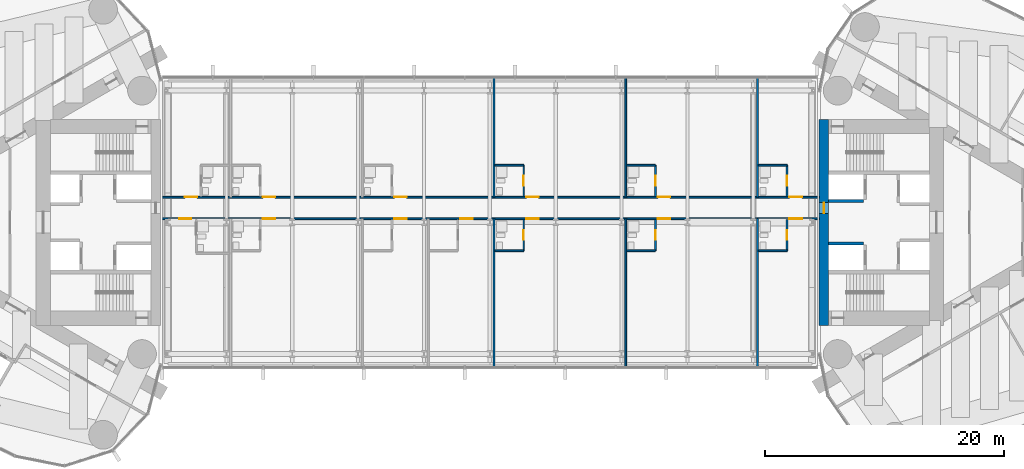
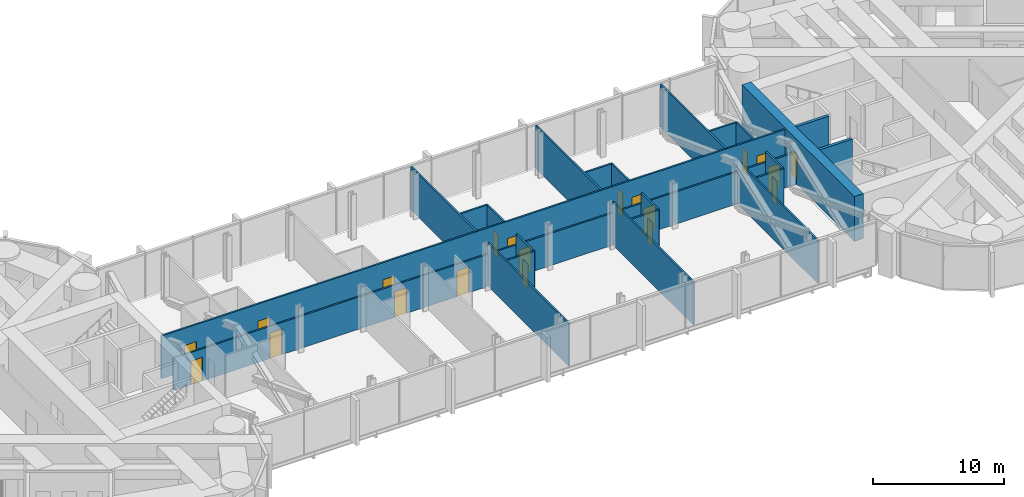
# One storey, part 18 of 23: 23 walls, 20 doors, 20 openings.
"""IFC4 building model written with IfcOpenShell, lengths in metres."""

from ifc_helpers import new_model, si_unit, direction, frame, frame_2d, origin, place, context, subcontext, project, spatial, rectangle, extrude, material, layer, layer_set, type_object, element, fill, save


model = new_model("IFC4")

# Units and contexts
model_context = context("Model", 3, precision=1e-05, world=origin(), true_north=direction((0.0, 1.0)))
body_context = subcontext(model_context, "Body", "Model", "MODEL_VIEW")
ifc_project = project(units=[si_unit("LENGTHUNIT", "METRE"), si_unit("AREAUNIT", "SQUARE_METRE"), si_unit("VOLUMEUNIT", "CUBIC_METRE"), si_unit("PLANEANGLEUNIT", "RADIAN"), si_unit("MASSUNIT", "GRAM", prefix="KILO")], contexts=[model_context])

# Site, building, storey
site_placement = place(None, origin())
site = spatial("IfcSite", under=ifc_project, at=site_placement, CompositionType="ELEMENT")
building_placement = place(site_placement, origin())
building = spatial("IfcBuilding", under=site, at=building_placement, Name="Lancet Gate Hotel", CompositionType="ELEMENT")
storey_placement = place(building_placement, frame((0.0, 0.0, 247.699951171875)))
storey = spatial("IfcBuildingStorey", under=building, at=storey_placement, Name="L66", CompositionType="ELEMENT", Elevation=247.699951171875)

# Wall
ifc_material_1 = material(Name="Moisture resistant board partition")
ifc_layer_1 = layer(ifc_material_1, 0.14990234375)
ifc_layer_set_1 = layer_set([ifc_layer_1], Name="Bathroom wall 150")
wall_type_1 = type_object("IfcWallType", Name="Bathroom wall 150", PredefinedType="PARTITIONING", material=ifc_layer_set_1)
wall_1_placement = place(storey_placement, frame((0.425048828125, -2.375, 0.0), z_axis=(0.0, 0.0, 1.0), x_axis=(1.0, 0.0, 0.0)))
element("IfcWall", 1, at=wall_1_placement, inside=storey, type_object=wall_type_1, Name="Bridge block bathroom wall 150 L66", PredefinedType="PARTITIONING", context=body_context, shape_type="SweptSolid", body=[
    extrude(rectangle(XDim=2.39990234375, YDim=0.14990234375, at=frame_2d((1.199951171875, 0.0))), origin(), (0.0, 0.0, 1.0), 4.0),
])

# Wall, opening, door
wall_2_placement = place(storey_placement, frame((2.824951171875, -2.375, 0.0), z_axis=(0.0, 0.0, 1.0), x_axis=(0.0, 1.0, 0.0)))
wall_2 = element("IfcWall", 2, at=wall_2_placement, inside=storey, type_object=wall_type_1, Name="Bridge block bathroom wall 150 L66", PredefinedType="PARTITIONING", context=body_context, shape_type="SweptSolid", body=[
    extrude(rectangle(XDim=2.60009765625, YDim=0.14990234375, at=frame_2d((1.300048828125, 0.0))), origin(), (0.0, 0.0, 1.0), 4.0),
])
opening_1_placement = place(wall_2_placement, frame((0.89990234375, 0.0, 0.0)))
opening_1 = element("IfcOpeningElement", 3, at=opening_1_placement, cuts=wall_2, Name="Opening B6606-B", PredefinedType="OPENING", context=body_context, shape_type="SweptSolid", body=[
    extrude(rectangle(XDim=0.800048828125, YDim=2.199951171875, at=frame_2d((0.39990234375, 1.10009765625))), frame((0.0, 0.0849609375, 0.0), z_axis=(0.0, -1.0, 0.0), x_axis=(1.0, 0.0, 0.0)), (0.0, 0.0, 1.0), 0.169921875),
])
ifc_material_2 = material(Name="Timber door set", Category="wood")
door_type_1 = type_object("IfcDoorType", Name="Bathroom door 800", OperationType="SINGLE_SWING_RIGHT", PredefinedType="DOOR", material=ifc_material_2)
door_1_placement = place(opening_1_placement, origin())
door_1 = element("IfcDoor", 4, at=door_1_placement, inside=storey, type_object=door_type_1, Name="B6606-B", OperationType="SINGLE_SWING_RIGHT", OverallHeight=2.199951171875, OverallWidth=0.800048828125, PredefinedType="DOOR", context=body_context, shape_type="SweptSolid", body=[
    extrude(rectangle(XDim=0.800048828125, YDim=2.199951171875, at=frame_2d((0.39990234375, 1.10009765625))), frame((0.0, 0.02490234375, 0.0), z_axis=(0.0, -1.0, 0.0), x_axis=(1.0, 0.0, 0.0)), (0.0, 0.0, 1.0), 0.050048828125),
])
fill(opening_1, door_1)

# Wall
wall_3_placement = place(storey_placement, frame((11.425048828125, -2.375, 0.0), z_axis=(0.0, 0.0, 1.0), x_axis=(1.0, 0.0, 0.0)))
element("IfcWall", 5, at=wall_3_placement, inside=storey, type_object=wall_type_1, Name="Bridge block bathroom wall 150 L66", PredefinedType="PARTITIONING", context=body_context, shape_type="SweptSolid", body=[
    extrude(rectangle(XDim=2.39990234375, YDim=0.14990234375, at=frame_2d((1.199951171875, 0.0))), origin(), (0.0, 0.0, 1.0), 4.0),
])

# Wall, opening, door
wall_4_placement = place(storey_placement, frame((13.824951171875, -2.375, 0.0), z_axis=(0.0, 0.0, 1.0), x_axis=(0.0, 1.0, 0.0)))
wall_4 = element("IfcWall", 6, at=wall_4_placement, inside=storey, type_object=wall_type_1, Name="Bridge block bathroom wall 150 L66", PredefinedType="PARTITIONING", context=body_context, shape_type="SweptSolid", body=[
    extrude(rectangle(XDim=2.60009765625, YDim=0.14990234375, at=frame_2d((1.300048828125, 0.0))), origin(), (0.0, 0.0, 1.0), 4.0),
])
opening_2_placement = place(wall_4_placement, frame((0.89990234375, 0.0, 0.0)))
opening_2 = element("IfcOpeningElement", 7, at=opening_2_placement, cuts=wall_4, Name="Opening B6608-B", PredefinedType="OPENING", context=body_context, shape_type="SweptSolid", body=[
    extrude(rectangle(XDim=0.800048828125, YDim=2.199951171875, at=frame_2d((0.39990234375, 1.10009765625))), frame((0.0, 0.0849609375, 0.0), z_axis=(0.0, -1.0, 0.0), x_axis=(1.0, 0.0, 0.0)), (0.0, 0.0, 1.0), 0.169921875),
])
door_2_placement = place(opening_2_placement, origin())
door_2 = element("IfcDoor", 8, at=door_2_placement, inside=storey, type_object=door_type_1, Name="B6608-B", OperationType="SINGLE_SWING_RIGHT", OverallHeight=2.199951171875, OverallWidth=0.800048828125, PredefinedType="DOOR", context=body_context, shape_type="SweptSolid", body=[
    extrude(rectangle(XDim=0.800048828125, YDim=2.199951171875, at=frame_2d((0.39990234375, 1.10009765625))), frame((0.0, 0.02490234375, 0.0), z_axis=(0.0, -1.0, 0.0), x_axis=(1.0, 0.0, 0.0)), (0.0, 0.0, 1.0), 0.050048828125),
])
fill(opening_2, door_2)

# Wall
wall_5_placement = place(storey_placement, frame((22.425048828125, -2.375, 0.0), z_axis=(0.0, 0.0, 1.0), x_axis=(1.0, 0.0, 0.0)))
element("IfcWall", 9, at=wall_5_placement, inside=storey, type_object=wall_type_1, Name="Bridge block bathroom wall 150 L66", PredefinedType="PARTITIONING", context=body_context, shape_type="SweptSolid", body=[
    extrude(rectangle(XDim=2.39990234375, YDim=0.14990234375, at=frame_2d((1.199951171875, 0.0))), origin(), (0.0, 0.0, 1.0), 4.0),
])

# Wall, opening, door
wall_6_placement = place(storey_placement, frame((24.824951171875, -2.375, 0.0), z_axis=(0.0, 0.0, 1.0), x_axis=(0.0, 1.0, 0.0)))
wall_6 = element("IfcWall", 10, at=wall_6_placement, inside=storey, type_object=wall_type_1, Name="Bridge block bathroom wall 150 L66", PredefinedType="PARTITIONING", context=body_context, shape_type="SweptSolid", body=[
    extrude(rectangle(XDim=2.60009765625, YDim=0.14990234375, at=frame_2d((1.300048828125, 0.0))), origin(), (0.0, 0.0, 1.0), 4.0),
])
opening_3_placement = place(wall_6_placement, frame((0.89990234375, 0.0, 0.0)))
opening_3 = element("IfcOpeningElement", 11, at=opening_3_placement, cuts=wall_6, Name="Opening B6610-B", PredefinedType="OPENING", context=body_context, shape_type="SweptSolid", body=[
    extrude(rectangle(XDim=0.800048828125, YDim=2.199951171875, at=frame_2d((0.39990234375, 1.10009765625))), frame((0.0, 0.0849609375, 0.0), z_axis=(0.0, -1.0, 0.0), x_axis=(1.0, 0.0, 0.0)), (0.0, 0.0, 1.0), 0.169921875),
])
door_3_placement = place(opening_3_placement, origin())
door_3 = element("IfcDoor", 12, at=door_3_placement, inside=storey, type_object=door_type_1, Name="B6610-B", OperationType="SINGLE_SWING_RIGHT", OverallHeight=2.199951171875, OverallWidth=0.800048828125, PredefinedType="DOOR", context=body_context, shape_type="SweptSolid", body=[
    extrude(rectangle(XDim=0.800048828125, YDim=2.199951171875, at=frame_2d((0.39990234375, 1.10009765625))), frame((0.0, 0.02490234375, 0.0), z_axis=(0.0, -1.0, 0.0), x_axis=(1.0, 0.0, 0.0)), (0.0, 0.0, 1.0), 0.050048828125),
])
fill(opening_3, door_3)

# Wall
wall_7_placement = place(storey_placement, frame((0.425048828125, 4.77490234375, 0.0), z_axis=(0.0, 0.0, 1.0), x_axis=(1.0, 0.0, 0.0)))
element("IfcWall", 13, at=wall_7_placement, inside=storey, type_object=wall_type_1, Name="Bridge block bathroom wall 150 L66", PredefinedType="PARTITIONING", context=body_context, shape_type="SweptSolid", body=[
    extrude(rectangle(XDim=2.39990234375, YDim=0.14990234375, at=frame_2d((1.199951171875, 0.0))), origin(), (0.0, 0.0, 1.0), 4.0),
])

# Wall, opening, door
wall_8_placement = place(storey_placement, frame((2.824951171875, 2.175048828125, 0.0), z_axis=(0.0, 0.0, 1.0), x_axis=(0.0, 1.0, 0.0)))
wall_8 = element("IfcWall", 14, at=wall_8_placement, inside=storey, type_object=wall_type_1, Name="Bridge block bathroom wall 150 L66", PredefinedType="PARTITIONING", context=body_context, shape_type="SweptSolid", body=[
    extrude(rectangle(XDim=2.599853515625, YDim=0.14990234375, at=frame_2d((1.2998046875, 0.0))), origin(), (0.0, 0.0, 1.0), 4.0),
])
opening_4_placement = place(wall_8_placement, frame((0.89990234375, 0.0, 0.0)))
opening_4 = element("IfcOpeningElement", 15, at=opening_4_placement, cuts=wall_8, Name="Opening B6616-B", PredefinedType="OPENING", context=body_context, shape_type="SweptSolid", body=[
    extrude(rectangle(XDim=0.800048828125, YDim=2.199951171875, at=frame_2d((0.39990234375, 1.10009765625))), frame((0.0, 0.0849609375, 0.0), z_axis=(0.0, -1.0, 0.0), x_axis=(1.0, 0.0, 0.0)), (0.0, 0.0, 1.0), 0.169921875),
])
door_4_placement = place(opening_4_placement, origin())
door_4 = element("IfcDoor", 16, at=door_4_placement, inside=storey, type_object=door_type_1, Name="B6616-B", OperationType="SINGLE_SWING_RIGHT", OverallHeight=2.199951171875, OverallWidth=0.800048828125, PredefinedType="DOOR", context=body_context, shape_type="SweptSolid", body=[
    extrude(rectangle(XDim=0.800048828125, YDim=2.199951171875, at=frame_2d((0.39990234375, 1.10009765625))), frame((0.0, 0.02490234375, 0.0), z_axis=(0.0, -1.0, 0.0), x_axis=(1.0, 0.0, 0.0)), (0.0, 0.0, 1.0), 0.050048828125),
])
fill(opening_4, door_4)

# Wall
wall_9_placement = place(storey_placement, frame((11.425048828125, 4.77490234375, 0.0), z_axis=(0.0, 0.0, 1.0), x_axis=(1.0, 0.0, 0.0)))
element("IfcWall", 17, at=wall_9_placement, inside=storey, type_object=wall_type_1, Name="Bridge block bathroom wall 150 L66", PredefinedType="PARTITIONING", context=body_context, shape_type="SweptSolid", body=[
    extrude(rectangle(XDim=2.39990234375, YDim=0.14990234375, at=frame_2d((1.199951171875, 0.0))), origin(), (0.0, 0.0, 1.0), 4.0),
])

# Wall, opening, door
wall_10_placement = place(storey_placement, frame((13.824951171875, 2.175048828125, 0.0), z_axis=(0.0, 0.0, 1.0), x_axis=(0.0, 1.0, 0.0)))
wall_10 = element("IfcWall", 18, at=wall_10_placement, inside=storey, type_object=wall_type_1, Name="Bridge block bathroom wall 150 L66", PredefinedType="PARTITIONING", context=body_context, shape_type="SweptSolid", body=[
    extrude(rectangle(XDim=2.599853515625, YDim=0.14990234375, at=frame_2d((1.2998046875, 0.0))), origin(), (0.0, 0.0, 1.0), 4.0),
])
opening_5_placement = place(wall_10_placement, frame((0.89990234375, 0.0, 0.0)))
opening_5 = element("IfcOpeningElement", 19, at=opening_5_placement, cuts=wall_10, Name="Opening B6618-B", PredefinedType="OPENING", context=body_context, shape_type="SweptSolid", body=[
    extrude(rectangle(XDim=0.800048828125, YDim=2.199951171875, at=frame_2d((0.39990234375, 1.10009765625))), frame((0.0, 0.0849609375, 0.0), z_axis=(0.0, -1.0, 0.0), x_axis=(1.0, 0.0, 0.0)), (0.0, 0.0, 1.0), 0.169921875),
])
door_5_placement = place(opening_5_placement, origin())
door_5 = element("IfcDoor", 20, at=door_5_placement, inside=storey, type_object=door_type_1, Name="B6618-B", OperationType="SINGLE_SWING_RIGHT", OverallHeight=2.199951171875, OverallWidth=0.800048828125, PredefinedType="DOOR", context=body_context, shape_type="SweptSolid", body=[
    extrude(rectangle(XDim=0.800048828125, YDim=2.199951171875, at=frame_2d((0.39990234375, 1.10009765625))), frame((0.0, 0.02490234375, 0.0), z_axis=(0.0, -1.0, 0.0), x_axis=(1.0, 0.0, 0.0)), (0.0, 0.0, 1.0), 0.050048828125),
])
fill(opening_5, door_5)

# Wall
wall_11_placement = place(storey_placement, frame((22.425048828125, 4.77490234375, 0.0), z_axis=(0.0, 0.0, 1.0), x_axis=(1.0, 0.0, 0.0)))
element("IfcWall", 21, at=wall_11_placement, inside=storey, type_object=wall_type_1, Name="Bridge block bathroom wall 150 L66", PredefinedType="PARTITIONING", context=body_context, shape_type="SweptSolid", body=[
    extrude(rectangle(XDim=2.39990234375, YDim=0.14990234375, at=frame_2d((1.199951171875, 0.0))), origin(), (0.0, 0.0, 1.0), 4.0),
])

# Wall, opening, door
wall_12_placement = place(storey_placement, frame((24.824951171875, 2.175048828125, 0.0), z_axis=(0.0, 0.0, 1.0), x_axis=(0.0, 1.0, 0.0)))
wall_12 = element("IfcWall", 22, at=wall_12_placement, inside=storey, type_object=wall_type_1, Name="Bridge block bathroom wall 150 L66", PredefinedType="PARTITIONING", context=body_context, shape_type="SweptSolid", body=[
    extrude(rectangle(XDim=2.599853515625, YDim=0.14990234375, at=frame_2d((1.2998046875, 0.0))), origin(), (0.0, 0.0, 1.0), 4.0),
])
opening_6_placement = place(wall_12_placement, frame((0.89990234375, 0.0, 0.0)))
opening_6 = element("IfcOpeningElement", 23, at=opening_6_placement, cuts=wall_12, Name="Opening B6620-B", PredefinedType="OPENING", context=body_context, shape_type="SweptSolid", body=[
    extrude(rectangle(XDim=0.800048828125, YDim=2.199951171875, at=frame_2d((0.39990234375, 1.10009765625))), frame((0.0, 0.0849609375, 0.0), z_axis=(0.0, -1.0, 0.0), x_axis=(1.0, 0.0, 0.0)), (0.0, 0.0, 1.0), 0.169921875),
])
door_6_placement = place(opening_6_placement, origin())
door_6 = element("IfcDoor", 24, at=door_6_placement, inside=storey, type_object=door_type_1, Name="B6620-B", OperationType="SINGLE_SWING_RIGHT", OverallHeight=2.199951171875, OverallWidth=0.800048828125, PredefinedType="DOOR", context=body_context, shape_type="SweptSolid", body=[
    extrude(rectangle(XDim=0.800048828125, YDim=2.199951171875, at=frame_2d((0.39990234375, 1.10009765625))), frame((0.0, 0.02490234375, 0.0), z_axis=(0.0, -1.0, 0.0), x_axis=(1.0, 0.0, 0.0)), (0.0, 0.0, 1.0), 0.050048828125),
])
fill(opening_6, door_6)

# Wall, openings, doors
ifc_material_3 = material(Name="Gypsum board partition")
ifc_layer_2 = layer(ifc_material_3, 0.14990234375)
ifc_layer_set_2 = layer_set([ifc_layer_2], Name="Block corridor wall 150")
wall_type_2 = type_object("IfcWallType", Name="Block corridor wall 150", PredefinedType="PARTITIONING", material=ifc_layer_set_2)
wall_13_placement = place(storey_placement, frame((-27.5, 0.300048828125, 0.0), z_axis=(0.0, 0.0, 1.0), x_axis=(1.0, 0.0, 0.0)))
wall_13 = element("IfcWall", 25, at=wall_13_placement, inside=storey, type_object=wall_type_2, Name="Bridge block block corridor wall 150 L66", PredefinedType="PARTITIONING", context=body_context, shape_type="SweptSolid", body=[
    extrude(rectangle(XDim=55.0, YDim=0.14990234375, at=frame_2d((27.5, 0.0))), origin(), (0.0, 0.0, 1.0), 3.0),
])
opening_7_placement = place(wall_13_placement, frame((1.574951171875, 0.0, 0.0)))
opening_7 = element("IfcOpeningElement", 26, at=opening_7_placement, cuts=wall_13, Name="Opening B6601", PredefinedType="OPENING", context=body_context, shape_type="SweptSolid", body=[
    extrude(rectangle(XDim=1.0, YDim=2.199951171875, at=frame_2d((0.5, 1.10009765625))), frame((0.0, 0.0849609375, 0.0), z_axis=(0.0, -1.0, 0.0), x_axis=(1.0, 0.0, 0.0)), (0.0, 0.0, 1.0), 0.169921875),
])
opening_8_placement = place(wall_13_placement, frame((8.52490234375, 0.0, 0.0)))
opening_8 = element("IfcOpeningElement", 27, at=opening_8_placement, cuts=wall_13, Name="Opening B6602", PredefinedType="OPENING", context=body_context, shape_type="SweptSolid", body=[
    extrude(rectangle(XDim=1.050048828125, YDim=2.39990234375, at=frame_2d((0.52490234375, 1.199951171875))), frame((0.0, 0.0849609375, 0.0), z_axis=(0.0, -1.0, 0.0), x_axis=(1.0, 0.0, 0.0)), (0.0, 0.0, 1.0), 0.169921875),
])
opening_9_placement = place(wall_13_placement, frame((19.52490234375, 0.0, 0.0)))
opening_9 = element("IfcOpeningElement", 28, at=opening_9_placement, cuts=wall_13, Name="Opening B6604", PredefinedType="OPENING", context=body_context, shape_type="SweptSolid", body=[
    extrude(rectangle(XDim=1.050048828125, YDim=2.39990234375, at=frame_2d((0.52490234375, 1.199951171875))), frame((0.0, 0.0849609375, 0.0), z_axis=(0.0, -1.0, 0.0), x_axis=(1.0, 0.0, 0.0)), (0.0, 0.0, 1.0), 0.169921875),
])
opening_10_placement = place(wall_13_placement, frame((25.02490234375, 0.0, 0.0)))
opening_10 = element("IfcOpeningElement", 29, at=opening_10_placement, cuts=wall_13, Name="Opening B6605", PredefinedType="OPENING", context=body_context, shape_type="SweptSolid", body=[
    extrude(rectangle(XDim=1.050048828125, YDim=2.39990234375, at=frame_2d((0.52490234375, 1.199951171875))), frame((0.0, 0.0849609375, 0.0), z_axis=(0.0, -1.0, 0.0), x_axis=(1.0, 0.0, 0.0)), (0.0, 0.0, 1.0), 0.169921875),
])
opening_11_placement = place(wall_13_placement, frame((30.52490234375, 0.0, 0.0)))
opening_11 = element("IfcOpeningElement", 30, at=opening_11_placement, cuts=wall_13, Name="Opening B6606", PredefinedType="OPENING", context=body_context, shape_type="SweptSolid", body=[
    extrude(rectangle(XDim=1.050048828125, YDim=2.39990234375, at=frame_2d((0.52490234375, 1.199951171875))), frame((0.0, 0.0849609375, 0.0), z_axis=(0.0, -1.0, 0.0), x_axis=(1.0, 0.0, 0.0)), (0.0, 0.0, 1.0), 0.169921875),
])
opening_12_placement = place(wall_13_placement, frame((41.52490234375, 0.0, 0.0)))
opening_12 = element("IfcOpeningElement", 31, at=opening_12_placement, cuts=wall_13, Name="Opening B6608", PredefinedType="OPENING", context=body_context, shape_type="SweptSolid", body=[
    extrude(rectangle(XDim=1.050048828125, YDim=2.39990234375, at=frame_2d((0.52490234375, 1.199951171875))), frame((0.0, 0.0849609375, 0.0), z_axis=(0.0, -1.0, 0.0), x_axis=(1.0, 0.0, 0.0)), (0.0, 0.0, 1.0), 0.169921875),
])
opening_13_placement = place(wall_13_placement, frame((52.52490234375, 0.0, 0.0)))
opening_13 = element("IfcOpeningElement", 32, at=opening_13_placement, cuts=wall_13, Name="Opening B6610", PredefinedType="OPENING", context=body_context, shape_type="SweptSolid", body=[
    extrude(rectangle(XDim=1.050048828125, YDim=2.39990234375, at=frame_2d((0.52490234375, 1.199951171875))), frame((0.0, 0.0849609375, 0.0), z_axis=(0.0, -1.0, 0.0), x_axis=(1.0, 0.0, 0.0)), (0.0, 0.0, 1.0), 0.169921875),
])
ifc_material_4 = material(Name="Timber door set", Category="wood")
door_type_2 = type_object("IfcDoorType", Name="Accessible guest room door 1000", OperationType="SINGLE_SWING_LEFT", PredefinedType="DOOR", material=ifc_material_4)
door_7_placement = place(opening_7_placement, origin())
door_7 = element("IfcDoor", 33, at=door_7_placement, inside=storey, type_object=door_type_2, Name="B6601", OperationType="SINGLE_SWING_LEFT", OverallHeight=2.199951171875, OverallWidth=1.0, PredefinedType="DOOR", context=body_context, shape_type="SweptSolid", body=[
    extrude(rectangle(XDim=1.0, YDim=2.199951171875, at=frame_2d((0.5, 1.10009765625))), frame((0.0, 0.02490234375, 0.0), z_axis=(0.0, -1.0, 0.0), x_axis=(1.0, 0.0, 0.0)), (0.0, 0.0, 1.0), 0.050048828125),
])
fill(opening_7, door_7)
ifc_material_5 = material(Name="Timber door set", Category="wood")
door_type_3 = type_object("IfcDoorType", Name="Suite entry door 1050", OperationType="SINGLE_SWING_LEFT", PredefinedType="DOOR", material=ifc_material_5)
door_8_placement = place(opening_8_placement, origin())
door_8 = element("IfcDoor", 34, at=door_8_placement, inside=storey, type_object=door_type_3, Name="B6602", OperationType="SINGLE_SWING_LEFT", OverallHeight=2.39990234375, OverallWidth=1.050048828125, PredefinedType="DOOR", context=body_context, shape_type="SweptSolid", body=[
    extrude(rectangle(XDim=1.050048828125, YDim=2.39990234375, at=frame_2d((0.52490234375, 1.199951171875))), frame((0.0, 0.02490234375, 0.0), z_axis=(0.0, -1.0, 0.0), x_axis=(1.0, 0.0, 0.0)), (0.0, 0.0, 1.0), 0.050048828125),
])
fill(opening_8, door_8)
door_9_placement = place(opening_9_placement, origin())
door_9 = element("IfcDoor", 35, at=door_9_placement, inside=storey, type_object=door_type_3, Name="B6604", OperationType="SINGLE_SWING_LEFT", OverallHeight=2.39990234375, OverallWidth=1.050048828125, PredefinedType="DOOR", context=body_context, shape_type="SweptSolid", body=[
    extrude(rectangle(XDim=1.050048828125, YDim=2.39990234375, at=frame_2d((0.52490234375, 1.199951171875))), frame((0.0, 0.02490234375, 0.0), z_axis=(0.0, -1.0, 0.0), x_axis=(1.0, 0.0, 0.0)), (0.0, 0.0, 1.0), 0.050048828125),
])
fill(opening_9, door_9)
door_10_placement = place(opening_10_placement, origin())
door_10 = element("IfcDoor", 36, at=door_10_placement, inside=storey, type_object=door_type_3, Name="B6605", OperationType="SINGLE_SWING_LEFT", OverallHeight=2.39990234375, OverallWidth=1.050048828125, PredefinedType="DOOR", context=body_context, shape_type="SweptSolid", body=[
    extrude(rectangle(XDim=1.050048828125, YDim=2.39990234375, at=frame_2d((0.52490234375, 1.199951171875))), frame((0.0, 0.02490234375, 0.0), z_axis=(0.0, -1.0, 0.0), x_axis=(1.0, 0.0, 0.0)), (0.0, 0.0, 1.0), 0.050048828125),
])
fill(opening_10, door_10)
door_11_placement = place(opening_11_placement, origin())
door_11 = element("IfcDoor", 37, at=door_11_placement, inside=storey, type_object=door_type_3, Name="B6606", OperationType="SINGLE_SWING_LEFT", OverallHeight=2.39990234375, OverallWidth=1.050048828125, PredefinedType="DOOR", context=body_context, shape_type="SweptSolid", body=[
    extrude(rectangle(XDim=1.050048828125, YDim=2.39990234375, at=frame_2d((0.52490234375, 1.199951171875))), frame((0.0, 0.02490234375, 0.0), z_axis=(0.0, -1.0, 0.0), x_axis=(1.0, 0.0, 0.0)), (0.0, 0.0, 1.0), 0.050048828125),
])
fill(opening_11, door_11)
door_12_placement = place(opening_12_placement, origin())
door_12 = element("IfcDoor", 38, at=door_12_placement, inside=storey, type_object=door_type_3, Name="B6608", OperationType="SINGLE_SWING_LEFT", OverallHeight=2.39990234375, OverallWidth=1.050048828125, PredefinedType="DOOR", context=body_context, shape_type="SweptSolid", body=[
    extrude(rectangle(XDim=1.050048828125, YDim=2.39990234375, at=frame_2d((0.52490234375, 1.199951171875))), frame((0.0, 0.02490234375, 0.0), z_axis=(0.0, -1.0, 0.0), x_axis=(1.0, 0.0, 0.0)), (0.0, 0.0, 1.0), 0.050048828125),
])
fill(opening_12, door_12)
door_13_placement = place(opening_13_placement, origin())
door_13 = element("IfcDoor", 39, at=door_13_placement, inside=storey, type_object=door_type_3, Name="B6610", OperationType="SINGLE_SWING_LEFT", OverallHeight=2.39990234375, OverallWidth=1.050048828125, PredefinedType="DOOR", context=body_context, shape_type="SweptSolid", body=[
    extrude(rectangle(XDim=1.050048828125, YDim=2.39990234375, at=frame_2d((0.52490234375, 1.199951171875))), frame((0.0, 0.02490234375, 0.0), z_axis=(0.0, -1.0, 0.0), x_axis=(1.0, 0.0, 0.0)), (0.0, 0.0, 1.0), 0.050048828125),
])
fill(opening_13, door_13)

wall_14_placement = place(storey_placement, frame((-27.5, 2.10009765625, 0.0), z_axis=(0.0, 0.0, 1.0), x_axis=(1.0, 0.0, 0.0)))
wall_14 = element("IfcWall", 40, at=wall_14_placement, inside=storey, type_object=wall_type_2, Name="Bridge block block corridor wall 150 L66", PredefinedType="PARTITIONING", context=body_context, shape_type="SweptSolid", body=[
    extrude(rectangle(XDim=55.0, YDim=0.14990234375, at=frame_2d((27.5, 0.0))), origin(), (0.0, 0.0, 1.0), 4.0),
])
opening_14_placement = place(wall_14_placement, frame((2.02490234375, 0.0, 0.0)))
opening_14 = element("IfcOpeningElement", 41, at=opening_14_placement, cuts=wall_14, Name="Opening B6611", PredefinedType="OPENING", context=body_context, shape_type="SweptSolid", body=[
    extrude(rectangle(XDim=1.050048828125, YDim=2.39990234375, at=frame_2d((0.52490234375, 1.199951171875))), frame((0.0, 0.0849609375, 0.0), z_axis=(0.0, -1.0, 0.0), x_axis=(1.0, 0.0, 0.0)), (0.0, 0.0, 1.0), 0.169921875),
])
opening_15_placement = place(wall_14_placement, frame((8.52490234375, 0.0, 0.0)))
opening_15 = element("IfcOpeningElement", 42, at=opening_15_placement, cuts=wall_14, Name="Opening B6612", PredefinedType="OPENING", context=body_context, shape_type="SweptSolid", body=[
    extrude(rectangle(XDim=1.050048828125, YDim=2.39990234375, at=frame_2d((0.52490234375, 1.199951171875))), frame((0.0, 0.0849609375, 0.0), z_axis=(0.0, -1.0, 0.0), x_axis=(1.0, 0.0, 0.0)), (0.0, 0.0, 1.0), 0.169921875),
])
opening_16_placement = place(wall_14_placement, frame((19.52490234375, 0.0, 0.0)))
opening_16 = element("IfcOpeningElement", 43, at=opening_16_placement, cuts=wall_14, Name="Opening B6614", PredefinedType="OPENING", context=body_context, shape_type="SweptSolid", body=[
    extrude(rectangle(XDim=1.050048828125, YDim=2.39990234375, at=frame_2d((0.52490234375, 1.199951171875))), frame((0.0, 0.0849609375, 0.0), z_axis=(0.0, -1.0, 0.0), x_axis=(1.0, 0.0, 0.0)), (0.0, 0.0, 1.0), 0.169921875),
])
opening_17_placement = place(wall_14_placement, frame((30.52490234375, 0.0, 0.0)))
opening_17 = element("IfcOpeningElement", 44, at=opening_17_placement, cuts=wall_14, Name="Opening B6616", PredefinedType="OPENING", context=body_context, shape_type="SweptSolid", body=[
    extrude(rectangle(XDim=1.050048828125, YDim=2.39990234375, at=frame_2d((0.52490234375, 1.199951171875))), frame((0.0, 0.0849609375, 0.0), z_axis=(0.0, -1.0, 0.0), x_axis=(1.0, 0.0, 0.0)), (0.0, 0.0, 1.0), 0.169921875),
])
opening_18_placement = place(wall_14_placement, frame((41.52490234375, 0.0, 0.0)))
opening_18 = element("IfcOpeningElement", 45, at=opening_18_placement, cuts=wall_14, Name="Opening B6618", PredefinedType="OPENING", context=body_context, shape_type="SweptSolid", body=[
    extrude(rectangle(XDim=1.050048828125, YDim=2.39990234375, at=frame_2d((0.52490234375, 1.199951171875))), frame((0.0, 0.0849609375, 0.0), z_axis=(0.0, -1.0, 0.0), x_axis=(1.0, 0.0, 0.0)), (0.0, 0.0, 1.0), 0.169921875),
])
opening_19_placement = place(wall_14_placement, frame((52.52490234375, 0.0, 0.0)))
opening_19 = element("IfcOpeningElement", 46, at=opening_19_placement, cuts=wall_14, Name="Opening B6620", PredefinedType="OPENING", context=body_context, shape_type="SweptSolid", body=[
    extrude(rectangle(XDim=1.050048828125, YDim=2.39990234375, at=frame_2d((0.52490234375, 1.199951171875))), frame((0.0, 0.0849609375, 0.0), z_axis=(0.0, -1.0, 0.0), x_axis=(1.0, 0.0, 0.0)), (0.0, 0.0, 1.0), 0.169921875),
])
door_14_placement = place(opening_14_placement, origin())
door_14 = element("IfcDoor", 47, at=door_14_placement, inside=storey, type_object=door_type_3, Name="B6611", OperationType="SINGLE_SWING_LEFT", OverallHeight=2.39990234375, OverallWidth=1.050048828125, PredefinedType="DOOR", context=body_context, shape_type="SweptSolid", body=[
    extrude(rectangle(XDim=1.050048828125, YDim=2.39990234375, at=frame_2d((0.52490234375, 1.199951171875))), frame((0.0, 0.02490234375, 0.0), z_axis=(0.0, -1.0, 0.0), x_axis=(1.0, 0.0, 0.0)), (0.0, 0.0, 1.0), 0.050048828125),
])
fill(opening_14, door_14)
door_15_placement = place(opening_15_placement, origin())
door_15 = element("IfcDoor", 48, at=door_15_placement, inside=storey, type_object=door_type_3, Name="B6612", OperationType="SINGLE_SWING_LEFT", OverallHeight=2.39990234375, OverallWidth=1.050048828125, PredefinedType="DOOR", context=body_context, shape_type="SweptSolid", body=[
    extrude(rectangle(XDim=1.050048828125, YDim=2.39990234375, at=frame_2d((0.52490234375, 1.199951171875))), frame((0.0, 0.02490234375, 0.0), z_axis=(0.0, -1.0, 0.0), x_axis=(1.0, 0.0, 0.0)), (0.0, 0.0, 1.0), 0.050048828125),
])
fill(opening_15, door_15)
door_16_placement = place(opening_16_placement, origin())
door_16 = element("IfcDoor", 49, at=door_16_placement, inside=storey, type_object=door_type_3, Name="B6614", OperationType="SINGLE_SWING_LEFT", OverallHeight=2.39990234375, OverallWidth=1.050048828125, PredefinedType="DOOR", context=body_context, shape_type="SweptSolid", body=[
    extrude(rectangle(XDim=1.050048828125, YDim=2.39990234375, at=frame_2d((0.52490234375, 1.199951171875))), frame((0.0, 0.02490234375, 0.0), z_axis=(0.0, -1.0, 0.0), x_axis=(1.0, 0.0, 0.0)), (0.0, 0.0, 1.0), 0.050048828125),
])
fill(opening_16, door_16)
door_17_placement = place(opening_17_placement, origin())
door_17 = element("IfcDoor", 50, at=door_17_placement, inside=storey, type_object=door_type_3, Name="B6616", OperationType="SINGLE_SWING_LEFT", OverallHeight=2.39990234375, OverallWidth=1.050048828125, PredefinedType="DOOR", context=body_context, shape_type="SweptSolid", body=[
    extrude(rectangle(XDim=1.050048828125, YDim=2.39990234375, at=frame_2d((0.52490234375, 1.199951171875))), frame((0.0, 0.02490234375, 0.0), z_axis=(0.0, -1.0, 0.0), x_axis=(1.0, 0.0, 0.0)), (0.0, 0.0, 1.0), 0.050048828125),
])
fill(opening_17, door_17)
door_18_placement = place(opening_18_placement, origin())
door_18 = element("IfcDoor", 51, at=door_18_placement, inside=storey, type_object=door_type_3, Name="B6618", OperationType="SINGLE_SWING_LEFT", OverallHeight=2.39990234375, OverallWidth=1.050048828125, PredefinedType="DOOR", context=body_context, shape_type="SweptSolid", body=[
    extrude(rectangle(XDim=1.050048828125, YDim=2.39990234375, at=frame_2d((0.52490234375, 1.199951171875))), frame((0.0, 0.02490234375, 0.0), z_axis=(0.0, -1.0, 0.0), x_axis=(1.0, 0.0, 0.0)), (0.0, 0.0, 1.0), 0.050048828125),
])
fill(opening_18, door_18)
door_19_placement = place(opening_19_placement, origin())
door_19 = element("IfcDoor", 52, at=door_19_placement, inside=storey, type_object=door_type_3, Name="B6620", OperationType="SINGLE_SWING_LEFT", OverallHeight=2.39990234375, OverallWidth=1.050048828125, PredefinedType="DOOR", context=body_context, shape_type="SweptSolid", body=[
    extrude(rectangle(XDim=1.050048828125, YDim=2.39990234375, at=frame_2d((0.52490234375, 1.199951171875))), frame((0.0, 0.02490234375, 0.0), z_axis=(0.0, -1.0, 0.0), x_axis=(1.0, 0.0, 0.0)), (0.0, 0.0, 1.0), 0.050048828125),
])
fill(opening_19, door_19)

# Wall, opening, door
ifc_material_6 = material(Name="Concrete C70/85", Category="concrete")
ifc_layer_3 = layer(ifc_material_6, 0.800048828125)
ifc_layer_set_3 = layer_set([ifc_layer_3], Name="Core wall 800")
wall_type_3 = type_object("IfcWallType", Name="Core wall 800", PredefinedType="SHEAR", material=ifc_layer_set_3)
wall_15_placement = place(storey_placement, frame((27.89990234375, -8.60009765625, 0.0), z_axis=(0.0, 0.0, 1.0), x_axis=(0.0, 1.0, 0.0)))
wall_15 = element("IfcWall", 53, at=wall_15_placement, inside=storey, type_object=wall_type_3, Name="T2 core wall front L66", PredefinedType="SHEAR", context=body_context, shape_type="SweptSolid", body=[
    extrude(rectangle(XDim=17.2001953125, YDim=0.800048828125, at=frame_2d((8.60009765625, 0.0))), origin(), (0.0, 0.0, 1.0), 4.199951171875),
])
opening_20_placement = place(wall_15_placement, frame((9.35009765625, 0.0, 0.0)))
opening_20 = element("IfcOpeningElement", 54, at=opening_20_placement, cuts=wall_15, Name="Opening T2-L66-BR", PredefinedType="OPENING", context=body_context, shape_type="SweptSolid", body=[
    extrude(rectangle(XDim=0.89990234375, YDim=2.199951171875, at=frame_2d((0.449951171875, 1.10009765625))), frame((0.0, 0.409912109375, 0.0), z_axis=(0.0, -1.0, 0.0), x_axis=(1.0, 0.0, 0.0)), (0.0, 0.0, 1.0), 0.820068359375),
])
ifc_material_7 = material(Name="Steel door set", Category="steel")
door_type_4 = type_object("IfcDoorType", Name="Bridge fire door 900", OperationType="SINGLE_SWING_LEFT", PredefinedType="DOOR", material=ifc_material_7)
door_20_placement = place(opening_20_placement, origin())
door_20 = element("IfcDoor", 55, at=door_20_placement, inside=storey, type_object=door_type_4, Name="T2-L66-BR", OperationType="SINGLE_SWING_LEFT", OverallHeight=2.199951171875, OverallWidth=0.89990234375, PredefinedType="DOOR", context=body_context, shape_type="SweptSolid", body=[
    extrude(rectangle(XDim=0.89990234375, YDim=2.199951171875, at=frame_2d((0.449951171875, 1.10009765625))), frame((0.0, 0.02490234375, 0.0), z_axis=(0.0, -1.0, 0.0), x_axis=(1.0, 0.0, 0.0)), (0.0, 0.0, 1.0), 0.050048828125),
])
fill(opening_20, door_20)

# Walls
ifc_material_8 = material(Name="Concrete C50/60", Category="concrete")
ifc_layer_4 = layer(ifc_material_8, 0.25)
ifc_layer_set_4 = layer_set([ifc_layer_4], Name="Lift shaft wall 250")
wall_type_4 = type_object("IfcWallType", Name="Lift shaft wall 250", PredefinedType="SHEAR", material=ifc_layer_set_4)
for number, where, z_axis, x_axis, name in (
    (56, (28.300048828125, -1.77490234375, 0.0), (0.0, 0.0, 1.0), (1.0, 0.0, 0.0), "T2 core wall pass1-S L66"),
    (57, (28.300048828125, 1.77490234375, 0.0), (0.0, 0.0, 1.0), (1.0, 0.0, 0.0), "T2 core wall pass1-N L66"),
):
    element("IfcWall", number, at=place(storey_placement, frame(where, z_axis=z_axis, x_axis=x_axis)), inside=storey, type_object=wall_type_4, Name=name, PredefinedType="SHEAR", context=body_context, shape_type="SweptSolid", body=[
        extrude(rectangle(XDim=2.89990234375, YDim=0.25, at=frame_2d((1.449951171875, 0.0))), origin(), (0.0, 0.0, 1.0), 4.199951171875),
    ])
ifc_material_9 = material(Name="Gypsum board partition")
ifc_layer_5 = layer(ifc_material_9, 0.14990234375)
ifc_layer_set_5 = layer_set([ifc_layer_5], Name="Party wall 150")
wall_type_5 = type_object("IfcWallType", Name="Party wall 150", PredefinedType="PARTITIONING", material=ifc_layer_set_5)
for number, where, z_axis, x_axis, name in (
    (58, (0.35009765625, -12.070068359375, 0.0), (0.0, 0.0, 1.0), (0.0, 1.0, 0.0), "Bridge block party wall 150 L66"),
    (59, (11.35009765625, -12.070068359375, 0.0), (0.0, 0.0, 1.0), (0.0, 1.0, 0.0), "Bridge block party wall 150 L66"),
    (60, (22.35009765625, -12.070068359375, 0.0), (0.0, 0.0, 1.0), (0.0, 1.0, 0.0), "Bridge block party wall 150 L66"),
):
    element("IfcWall", number, at=place(storey_placement, frame(where, z_axis=z_axis, x_axis=x_axis)), inside=storey, type_object=wall_type_5, Name=name, PredefinedType="PARTITIONING", context=body_context, shape_type="SweptSolid", body=[
        extrude(rectangle(XDim=12.3701171875, YDim=0.14990234375, at=frame_2d((6.18505859375, 0.0))), origin(), (0.0, 0.0, 1.0), 4.0),
    ])
for number, where, z_axis, x_axis, name in (
    (61, (0.35009765625, 2.10009765625, 0.0), (0.0, 0.0, 1.0), (0.0, 1.0, 0.0), "Bridge block party wall 150 L66"),
    (62, (11.35009765625, 2.10009765625, 0.0), (0.0, 0.0, 1.0), (0.0, 1.0, 0.0), "Bridge block party wall 150 L66"),
    (63, (22.35009765625, 2.10009765625, 0.0), (0.0, 0.0, 1.0), (0.0, 1.0, 0.0), "Bridge block party wall 150 L66"),
):
    element("IfcWall", number, at=place(storey_placement, frame(where, z_axis=z_axis, x_axis=x_axis)), inside=storey, type_object=wall_type_5, Name=name, PredefinedType="PARTITIONING", context=body_context, shape_type="SweptSolid", body=[
        extrude(rectangle(XDim=9.969970703125, YDim=0.14990234375, at=frame_2d((4.98486328125, 0.0))), origin(), (0.0, 0.0, 1.0), 4.0),
    ])

save(model, "model.ifc")
